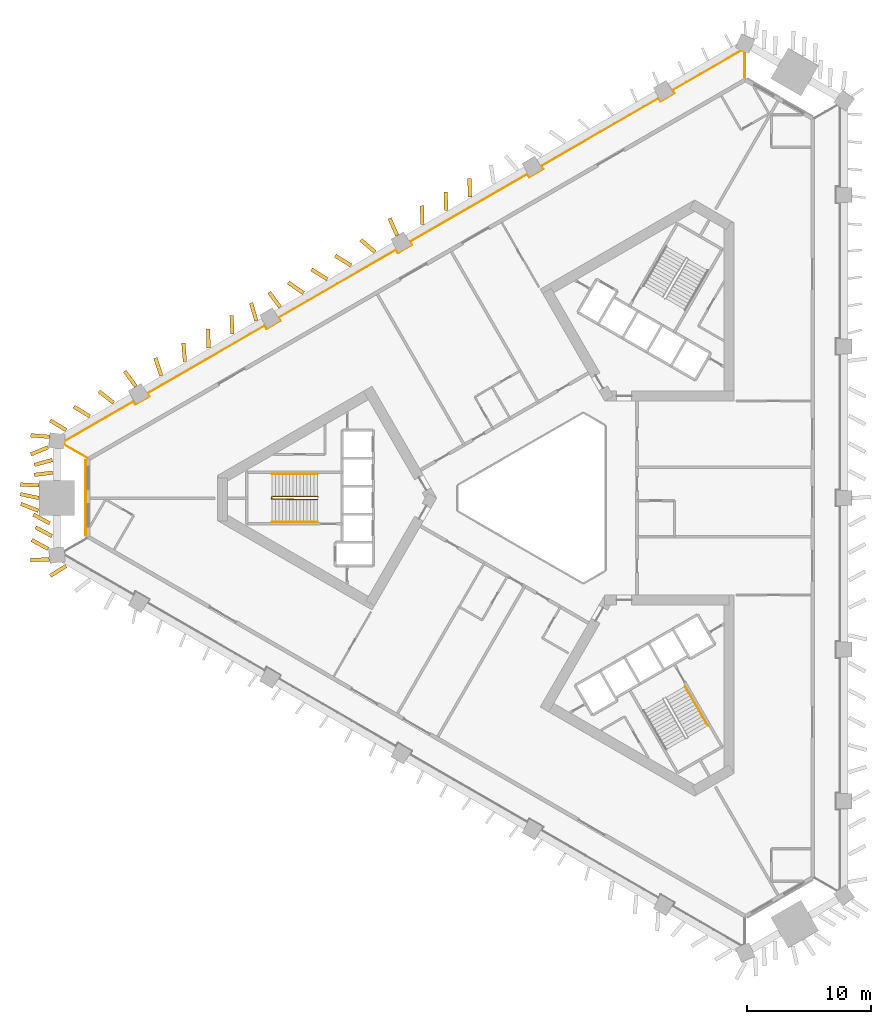
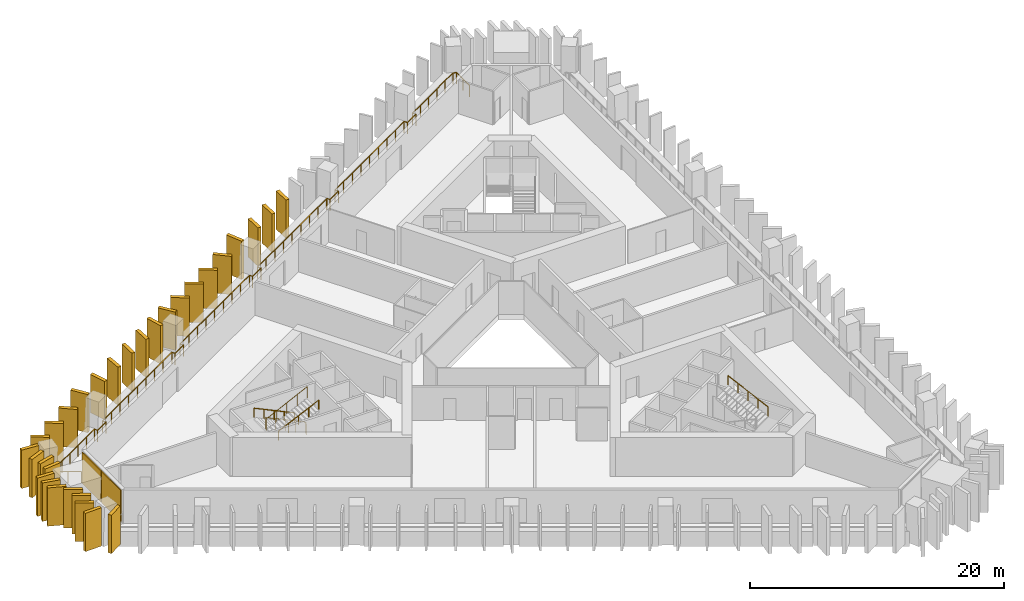
# One storey, part 8 of 10: 30 shading devices, 5 railings, 2 coverings.
"""IFC4 building model written with IfcOpenShell, lengths in metres."""

from ifc_helpers import new_model, si_unit, direction, frame, frame_2d, origin, origin_2d, place, context, subcontext, project, spatial, rectangle, circle, extrude, material, layer, layer_set, type_object, element, save


model = new_model("IFC4")

# Units and contexts
model_context = context("Model", 3, precision=1e-05, world=origin(), true_north=direction((0.0, 1.0)))
body_context = subcontext(model_context, "Body", "Model", "MODEL_VIEW")
ifc_project = project(units=[si_unit("LENGTHUNIT", "METRE"), si_unit("AREAUNIT", "SQUARE_METRE"), si_unit("VOLUMEUNIT", "CUBIC_METRE"), si_unit("PLANEANGLEUNIT", "RADIAN"), si_unit("MASSUNIT", "GRAM", prefix="KILO")], contexts=[model_context])

# Site, building, storey
site_placement = place(None, origin())
site = spatial("IfcSite", under=ifc_project, at=site_placement, CompositionType="ELEMENT")
building_placement = place(site_placement, origin())
building = spatial("IfcBuilding", under=site, at=building_placement, Name="Jabali Bay Hotel Tower and Convention Centre", CompositionType="ELEMENT")
storey_placement = place(building_placement, frame((0.0, 0.0, 44.800048828125)))
storey = spatial("IfcBuildingStorey", under=building, at=storey_placement, Name="L09", CompositionType="ELEMENT", Elevation=44.800048828125)

# Railing
ifc_material_1 = material(Name="Glass", Category="glass")
railing_type_1 = type_object("IfcRailingType", Name="Loggia glass guard 1100", PredefinedType="BALUSTRADE", material=ifc_material_1)
railing_1_placement = place(storey_placement, frame((37.8505859375, 83.263671875, 0.0)))
element("IfcRailing", 1, at=railing_1_placement, inside=storey, type_object=railing_type_1, Name="Loggia glass guard L09", PredefinedType="BALUSTRADE", context=body_context, shape_type="SweptSolid", body=[
    extrude(circle(Radius=0.02490234375, at=origin_2d()), frame((0.0, 0.0, 1.0751953125), z_axis=(-0.866005633567, 0.500034241458, 0.0), x_axis=(-0.495756379204, -0.858596835321, 0.13052619222)), (0.0, 0.0, 1.0), 2.055908203125),
    extrude(circle(Radius=0.02490234375, at=origin_2d()), frame((-1.780517578125, 1.028076171875, 1.0751953125), z_axis=(0.115132230487, 0.993350174663, 0.0), x_axis=(-0.984851926214, 0.114147258294, 0.13052619222)), (0.0, 0.0, 1.0), 0.2734375),
    extrude(circle(Radius=0.02490234375, at=origin_2d()), frame((-1.7490234375, 1.2998046875, 1.0751953125), z_axis=(0.8660341808, 0.499984797455, 0.0), x_axis=(-0.495707358202, 0.858625138328, 0.13052619222)), (0.0, 0.0, 1.0), 6.390869140625),
    extrude(circle(Radius=0.02490234375, at=origin_2d()), frame((3.78564453125, 4.4951171875, 1.0751953125), z_axis=(0.499816412211, -0.866131372301, 0.0), x_axis=(0.858721498343, 0.495540413517, 0.13052619222)), (0.0, 0.0, 1.0), 0.2998046875),
    extrude(circle(Radius=0.02490234375, at=origin_2d()), frame((3.935546875, 4.2353515625, 1.0751953125), z_axis=(0.866085525409, 0.49989585183, 0.0), x_axis=(-0.495619173519, 0.858676043677, 0.13052619222)), (0.0, 0.0, 1.0), 1.300048828125),
    extrude(circle(Radius=0.02490234375, at=origin_2d()), frame((5.0615234375, 4.88525390625, 1.0751953125), z_axis=(-0.499464218792, 0.866334516308, 0.0), x_axis=(-0.858922904424, -0.495191233161, 0.13052619222)), (0.0, 0.0, 1.0), 0.300048828125),
    extrude(circle(Radius=0.02490234375, at=origin_2d()), frame((4.91162109375, 5.145263671875, 1.0751953125), z_axis=(0.866028296266, 0.499994990041, 0.0), x_axis=(-0.495717463589, 0.858619304137, 0.13052619222)), (0.0, 0.0, 1.0), 10.8818359375),
    extrude(circle(Radius=0.02490234375, at=origin_2d()), frame((14.335693359375, 10.586181640625, 1.0751953125), z_axis=(0.500426713919, -0.865778900179, 0.0), x_axis=(0.858372041669, 0.49614549401, 0.13052619222)), (0.0, 0.0, 1.0), 0.300048828125),
    extrude(circle(Radius=0.02490234375, at=origin_2d()), frame((14.48583984375, 10.326416015625, 1.0751953125), z_axis=(0.86595725628, 0.500118016368, 0.0), x_axis=(-0.495839437409, 0.858548871908, 0.13052619222)), (0.0, 0.0, 1.0), 1.300048828125),
    extrude(circle(Radius=0.02490234375, at=origin_2d()), frame((15.611572265625, 10.9765625, 1.0751953125), z_axis=(-0.499816412211, 0.866131372301, 0.0), x_axis=(-0.858721498343, -0.495540413517, 0.13052619222)), (0.0, 0.0, 1.0), 0.2998046875),
    extrude(circle(Radius=0.02490234375, at=origin_2d()), frame((15.461669921875, 11.236328125, 1.0751953125), z_axis=(0.866033904836, 0.499985275457, 0.0), x_axis=(-0.495707832114, 0.858624864726, 0.13052619222)), (0.0, 0.0, 1.0), 10.882080078125),
    extrude(circle(Radius=0.02490234375, at=origin_2d()), frame((24.885986328125, 16.67724609375, 1.0751953125), z_axis=(0.499816412211, -0.866131372301, 0.0), x_axis=(0.858721498343, 0.495540413517, 0.13052619222)), (0.0, 0.0, 1.0), 0.2998046875),
    extrude(circle(Radius=0.02490234375, at=origin_2d()), frame((25.035888671875, 16.41748046875, 1.0751953125), z_axis=(0.86595725628, 0.500118016368, 0.0), x_axis=(-0.495839437409, 0.858548871908, 0.13052619222)), (0.0, 0.0, 1.0), 1.300048828125),
    extrude(circle(Radius=0.02490234375, at=origin_2d()), frame((26.16162109375, 17.067626953125, 1.0751953125), z_axis=(-0.499816412211, 0.866131372301, 0.0), x_axis=(-0.858721498343, -0.495540413517, 0.13052619222)), (0.0, 0.0, 1.0), 0.2998046875),
    extrude(circle(Radius=0.02490234375, at=origin_2d()), frame((26.01171875, 17.327392578125, 1.0751953125), z_axis=(0.866024190355, 0.500002101716, 0.0), x_axis=(-0.495724514422, 0.858615233353, 0.13052619222)), (0.0, 0.0, 1.0), 10.88232421875),
    extrude(circle(Radius=0.02490234375, at=origin_2d()), frame((35.43603515625, 22.7685546875, 1.0751953125), z_axis=(0.499816412211, -0.866131372301, 0.0), x_axis=(0.858721498343, 0.495540413517, 0.13052619222)), (0.0, 0.0, 1.0), 0.2998046875),
    extrude(circle(Radius=0.02490234375, at=origin_2d()), frame((35.5859375, 22.5087890625, 1.0751953125), z_axis=(0.866085525409, 0.49989585183, 0.0), x_axis=(-0.495619173519, 0.858676043677, 0.13052619222)), (0.0, 0.0, 1.0), 1.300048828125),
    extrude(circle(Radius=0.02490234375, at=origin_2d()), frame((36.7119140625, 23.15869140625, 1.0751953125), z_axis=(-0.500426713919, 0.865778900179, 0.0), x_axis=(-0.858372041669, -0.49614549401, 0.13052619222)), (0.0, 0.0, 1.0), 0.300048828125),
    extrude(circle(Radius=0.02490234375, at=origin_2d()), frame((36.561767578125, 23.41845703125, 1.0751953125), z_axis=(0.866024190355, 0.500002101716, 0.0), x_axis=(-0.495724514422, 0.858615233353, 0.13052619222)), (0.0, 0.0, 1.0), 10.88232421875),
    extrude(circle(Radius=0.02490234375, at=origin_2d()), frame((45.986083984375, 28.859619140625, 1.0751953125), z_axis=(0.500426713919, -0.865778900179, 0.0), x_axis=(0.858372041669, 0.49614549401, 0.13052619222)), (0.0, 0.0, 1.0), 0.300048828125),
    extrude(circle(Radius=0.02490234375, at=origin_2d()), frame((46.13623046875, 28.599853515625, 1.0751953125), z_axis=(0.86603858612, 0.49997716683, 0.0), x_axis=(-0.495699792858, 0.85862950596, 0.13052619222)), (0.0, 0.0, 1.0), 1.2998046875),
    extrude(circle(Radius=0.02490234375, at=origin_2d()), frame((47.261962890625, 29.249755859375, 1.0751953125), z_axis=(-0.499816412211, 0.866131372301, 0.0), x_axis=(-0.858721498343, -0.495540413517, 0.13052619222)), (0.0, 0.0, 1.0), 0.2998046875),
    extrude(circle(Radius=0.02490234375, at=origin_2d()), frame((47.112060546875, 29.509521484375, 1.0751953125), z_axis=(0.866008087876, 0.500029990834, 0.0), x_axis=(-0.495752164945, 0.858599268633, 0.13052619222)), (0.0, 0.0, 1.0), 6.390625),
    extrude(circle(Radius=0.02490234375, at=origin_2d()), frame((52.646484375, 32.705078125, 1.0751953125), z_axis=(0.917848253155, -0.396931460305, 0.0), x_axis=(0.393535656637, 0.909995934112, 0.13052619222)), (0.0, 0.0, 1.0), 0.273681640625),
    extrude(circle(Radius=0.02490234375, at=origin_2d()), frame((52.897705078125, 32.596435546875, 1.0751953125), z_axis=(0.0, -1.0, 0.0), x_axis=(0.991444861374, 0.0, 0.13052619222)), (0.0, 0.0, 1.0), 2.055908203125),
    extrude(circle(Radius=0.02001953125, at=origin_2d()), origin(), (0.0, 0.0, 1.0), 1.050048828125),
    extrude(circle(Radius=0.02001953125, at=origin_2d()), frame((-0.89013671875, 0.51416015625, 0.0)), (0.0, 0.0, 1.0), 1.050048828125),
    extrude(circle(Radius=0.02001953125, at=origin_2d()), frame((-1.780517578125, 1.028076171875, 0.0)), (0.0, 0.0, 1.0), 1.050048828125),
    extrude(circle(Radius=0.02001953125, at=origin_2d()), frame((-1.7490234375, 1.2998046875, 0.0)), (0.0, 0.0, 1.0), 1.050048828125),
    extrude(circle(Radius=0.02001953125, at=origin_2d()), frame((-0.64208984375, 1.93896484375, 0.0)), (0.0, 0.0, 1.0), 1.050048828125),
    extrude(circle(Radius=0.02001953125, at=origin_2d()), frame((0.46484375, 2.577880859375, 0.0)), (0.0, 0.0, 1.0), 1.050048828125),
    extrude(circle(Radius=0.02001953125, at=origin_2d()), frame((1.57177734375, 3.217041015625, 0.0)), (0.0, 0.0, 1.0), 1.050048828125),
    extrude(circle(Radius=0.02001953125, at=origin_2d()), frame((2.6787109375, 3.85595703125, 0.0)), (0.0, 0.0, 1.0), 1.050048828125),
    extrude(circle(Radius=0.02001953125, at=origin_2d()), frame((3.78564453125, 4.4951171875, 0.0)), (0.0, 0.0, 1.0), 1.050048828125),
    extrude(circle(Radius=0.02001953125, at=origin_2d()), frame((3.935546875, 4.2353515625, 0.0)), (0.0, 0.0, 1.0), 1.050048828125),
    extrude(circle(Radius=0.02001953125, at=origin_2d()), frame((5.0615234375, 4.88525390625, 0.0)), (0.0, 0.0, 1.0), 1.050048828125),
    extrude(circle(Radius=0.02001953125, at=origin_2d()), frame((4.91162109375, 5.145263671875, 0.0)), (0.0, 0.0, 1.0), 1.050048828125),
    extrude(circle(Radius=0.02001953125, at=origin_2d()), frame((6.089599609375, 5.825439453125, 0.0)), (0.0, 0.0, 1.0), 1.050048828125),
    extrude(circle(Radius=0.02001953125, at=origin_2d()), frame((7.267578125, 6.50537109375, 0.0)), (0.0, 0.0, 1.0), 1.050048828125),
    extrude(circle(Radius=0.02001953125, at=origin_2d()), frame((8.445556640625, 7.185546875, 0.0)), (0.0, 0.0, 1.0), 1.050048828125),
    extrude(circle(Radius=0.02001953125, at=origin_2d()), frame((9.62353515625, 7.86572265625, 0.0)), (0.0, 0.0, 1.0), 1.050048828125),
    extrude(circle(Radius=0.02001953125, at=origin_2d()), frame((10.8017578125, 8.5458984375, 0.0)), (0.0, 0.0, 1.0), 1.050048828125),
    extrude(circle(Radius=0.02001953125, at=origin_2d()), frame((11.979736328125, 9.22607421875, 0.0)), (0.0, 0.0, 1.0), 1.050048828125),
    extrude(circle(Radius=0.02001953125, at=origin_2d()), frame((13.15771484375, 9.906005859375, 0.0)), (0.0, 0.0, 1.0), 1.050048828125),
    extrude(circle(Radius=0.02001953125, at=origin_2d()), frame((14.335693359375, 10.586181640625, 0.0)), (0.0, 0.0, 1.0), 1.050048828125),
    extrude(circle(Radius=0.02001953125, at=origin_2d()), frame((14.48583984375, 10.326416015625, 0.0)), (0.0, 0.0, 1.0), 1.050048828125),
    extrude(circle(Radius=0.02001953125, at=origin_2d()), frame((15.611572265625, 10.9765625, 0.0)), (0.0, 0.0, 1.0), 1.050048828125),
    extrude(circle(Radius=0.02001953125, at=origin_2d()), frame((15.461669921875, 11.236328125, 0.0)), (0.0, 0.0, 1.0), 1.050048828125),
    extrude(circle(Radius=0.02001953125, at=origin_2d()), frame((16.6396484375, 11.91650390625, 0.0)), (0.0, 0.0, 1.0), 1.050048828125),
    extrude(circle(Radius=0.02001953125, at=origin_2d()), frame((17.81787109375, 12.5966796875, 0.0)), (0.0, 0.0, 1.0), 1.050048828125),
    extrude(circle(Radius=0.02001953125, at=origin_2d()), frame((18.995849609375, 13.276611328125, 0.0)), (0.0, 0.0, 1.0), 1.050048828125),
    extrude(circle(Radius=0.02001953125, at=origin_2d()), frame((20.173828125, 13.956787109375, 0.0)), (0.0, 0.0, 1.0), 1.050048828125),
    extrude(circle(Radius=0.02001953125, at=origin_2d()), frame((21.351806640625, 14.636962890625, 0.0)), (0.0, 0.0, 1.0), 1.050048828125),
    extrude(circle(Radius=0.02001953125, at=origin_2d()), frame((22.52978515625, 15.31689453125, 0.0)), (0.0, 0.0, 1.0), 1.050048828125),
    extrude(circle(Radius=0.02001953125, at=origin_2d()), frame((23.7080078125, 15.9970703125, 0.0)), (0.0, 0.0, 1.0), 1.050048828125),
    extrude(circle(Radius=0.02001953125, at=origin_2d()), frame((24.885986328125, 16.67724609375, 0.0)), (0.0, 0.0, 1.0), 1.050048828125),
    extrude(circle(Radius=0.02001953125, at=origin_2d()), frame((25.035888671875, 16.41748046875, 0.0)), (0.0, 0.0, 1.0), 1.050048828125),
    extrude(circle(Radius=0.02001953125, at=origin_2d()), frame((26.16162109375, 17.067626953125, 0.0)), (0.0, 0.0, 1.0), 1.050048828125),
    extrude(circle(Radius=0.02001953125, at=origin_2d()), frame((26.01171875, 17.327392578125, 0.0)), (0.0, 0.0, 1.0), 1.050048828125),
    extrude(circle(Radius=0.02001953125, at=origin_2d()), frame((27.189697265625, 18.007568359375, 0.0)), (0.0, 0.0, 1.0), 1.050048828125),
    extrude(circle(Radius=0.02001953125, at=origin_2d()), frame((28.36767578125, 18.687744140625, 0.0)), (0.0, 0.0, 1.0), 1.050048828125),
    extrude(circle(Radius=0.02001953125, at=origin_2d()), frame((29.5458984375, 19.367919921875, 0.0)), (0.0, 0.0, 1.0), 1.050048828125),
    extrude(circle(Radius=0.02001953125, at=origin_2d()), frame((30.723876953125, 20.0478515625, 0.0)), (0.0, 0.0, 1.0), 1.050048828125),
    extrude(circle(Radius=0.02001953125, at=origin_2d()), frame((31.90185546875, 20.72802734375, 0.0)), (0.0, 0.0, 1.0), 1.050048828125),
    extrude(circle(Radius=0.02001953125, at=origin_2d()), frame((33.080078125, 21.408203125, 0.0)), (0.0, 0.0, 1.0), 1.050048828125),
    extrude(circle(Radius=0.02001953125, at=origin_2d()), frame((34.258056640625, 22.08837890625, 0.0)), (0.0, 0.0, 1.0), 1.050048828125),
    extrude(circle(Radius=0.02001953125, at=origin_2d()), frame((35.43603515625, 22.7685546875, 0.0)), (0.0, 0.0, 1.0), 1.050048828125),
    extrude(circle(Radius=0.02001953125, at=origin_2d()), frame((35.5859375, 22.5087890625, 0.0)), (0.0, 0.0, 1.0), 1.050048828125),
    extrude(circle(Radius=0.02001953125, at=origin_2d()), frame((36.7119140625, 23.15869140625, 0.0)), (0.0, 0.0, 1.0), 1.050048828125),
    extrude(circle(Radius=0.02001953125, at=origin_2d()), frame((36.561767578125, 23.41845703125, 0.0)), (0.0, 0.0, 1.0), 1.050048828125),
    extrude(circle(Radius=0.02001953125, at=origin_2d()), frame((37.73974609375, 24.0986328125, 0.0)), (0.0, 0.0, 1.0), 1.050048828125),
    extrude(circle(Radius=0.02001953125, at=origin_2d()), frame((38.91796875, 24.77880859375, 0.0)), (0.0, 0.0, 1.0), 1.050048828125),
    extrude(circle(Radius=0.02001953125, at=origin_2d()), frame((40.095947265625, 25.458984375, 0.0)), (0.0, 0.0, 1.0), 1.050048828125),
    extrude(circle(Radius=0.02001953125, at=origin_2d()), frame((41.27392578125, 26.13916015625, 0.0)), (0.0, 0.0, 1.0), 1.050048828125),
    extrude(circle(Radius=0.02001953125, at=origin_2d()), frame((42.451904296875, 26.819091796875, 0.0)), (0.0, 0.0, 1.0), 1.050048828125),
    extrude(circle(Radius=0.02001953125, at=origin_2d()), frame((43.6298828125, 27.499267578125, 0.0)), (0.0, 0.0, 1.0), 1.050048828125),
    extrude(circle(Radius=0.02001953125, at=origin_2d()), frame((44.80810546875, 28.179443359375, 0.0)), (0.0, 0.0, 1.0), 1.050048828125),
    extrude(circle(Radius=0.02001953125, at=origin_2d()), frame((45.986083984375, 28.859619140625, 0.0)), (0.0, 0.0, 1.0), 1.050048828125),
    extrude(circle(Radius=0.02001953125, at=origin_2d()), frame((46.13623046875, 28.599853515625, 0.0)), (0.0, 0.0, 1.0), 1.050048828125),
    extrude(circle(Radius=0.02001953125, at=origin_2d()), frame((47.261962890625, 29.249755859375, 0.0)), (0.0, 0.0, 1.0), 1.050048828125),
    extrude(circle(Radius=0.02001953125, at=origin_2d()), frame((47.112060546875, 29.509521484375, 0.0)), (0.0, 0.0, 1.0), 1.050048828125),
    extrude(circle(Radius=0.02001953125, at=origin_2d()), frame((48.218994140625, 30.148681640625, 0.0)), (0.0, 0.0, 1.0), 1.050048828125),
    extrude(circle(Radius=0.02001953125, at=origin_2d()), frame((49.325927734375, 30.787841796875, 0.0)), (0.0, 0.0, 1.0), 1.050048828125),
    extrude(circle(Radius=0.02001953125, at=origin_2d()), frame((50.4326171875, 31.4267578125, 0.0)), (0.0, 0.0, 1.0), 1.050048828125),
    extrude(circle(Radius=0.02001953125, at=origin_2d()), frame((51.53955078125, 32.06591796875, 0.0)), (0.0, 0.0, 1.0), 1.050048828125),
    extrude(circle(Radius=0.02001953125, at=origin_2d()), frame((52.646484375, 32.705078125, 0.0)), (0.0, 0.0, 1.0), 1.050048828125),
    extrude(circle(Radius=0.02001953125, at=origin_2d()), frame((52.897705078125, 32.596435546875, 0.0)), (0.0, 0.0, 1.0), 1.050048828125),
    extrude(circle(Radius=0.02001953125, at=origin_2d()), frame((52.897705078125, 31.568359375, 0.0)), (0.0, 0.0, 1.0), 1.050048828125),
    extrude(circle(Radius=0.02001953125, at=origin_2d()), frame((52.897705078125, 30.54052734375, 0.0)), (0.0, 0.0, 1.0), 1.050048828125),
])

# Shading devices
ifc_material_2 = material(Name="Precast concrete C60", Category="concrete")
ifc_layer_1 = layer(ifc_material_2, 0.300048828125)
ifc_layer_set_1 = layer_set([ifc_layer_1], Name="Precast concrete C60")
shading_device_type = type_object("IfcShadingDeviceType", Name="Precast fin 3680 x 1500", PredefinedType="USERDEFINED", material=ifc_layer_set_1)
for number, where, z_axis, x_axis, name in (
    (2, (68.668212890625, 104.18994140625, 0.010009765625), (0.0, 0.0, 1.0), (-0.027342427411, 0.999626125941, 0.0), "Fin L09 049"),
    (3, (66.759521484375, 103.088134765625, 0.010009765625), (0.0, 0.0, 1.0), (-0.026854525092, 0.999639352208, 0.0), "Fin L09 050"),
    (4, (64.85107421875, 101.986083984375, 0.010009765625), (0.0, 0.0, 1.0), (-0.026691886703, 0.99964370812, 0.0), "Fin L09 051"),
    (5, (62.816650390625, 101.102294921875, 0.010009765625), (0.0, 0.0, 1.0), (-0.405594746475, 0.914053008108, 0.0), "Fin L09 052"),
    (6, (61.044677734375, 99.763671875, 0.010009765625), (0.0, 0.0, 1.0), (-0.76004873387, 0.649866080159, 0.0), "Fin L09 053"),
    (7, (59.125244140625, 98.680419921875, 0.010009765625), (0.0, 0.0, 1.0), (-0.852367247543, 0.522943663616, 0.0), "Fin L09 054"),
    (8, (57.216796875, 97.57861328125, 0.010009765625), (0.0, 0.0, 1.0), (-0.85243979358, 0.522825399461, 0.0), "Fin L09 055"),
    (9, (55.311279296875, 96.4716796875, 0.010009765625), (0.0, 0.0, 1.0), (-0.828452221688, 0.560059743581, 0.0), "Fin L09 056"),
):
    element("IfcShadingDevice", number, at=place(storey_placement, frame(where, z_axis=z_axis, x_axis=x_axis)), inside=storey, type_object=shading_device_type, Name=name, ObjectType="FIN", PredefinedType="USERDEFINED", context=body_context, shape_type="SweptSolid", body=[
        extrude(rectangle(XDim=1.5, YDim=0.300048828125, at=frame_2d((0.75, 0.0))), origin(), (0.0, 0.0, 1.0), 3.679931640625),
    ])
shading_device_1_placement = place(storey_placement, frame((53.427001953125, 95.32763671875, 0.010009765625), z_axis=(0.0, 0.0, 1.0), x_axis=(-0.594464288701, 0.80412201155, 0.0)))
element("IfcShadingDevice", 10, at=shading_device_1_placement, inside=storey, type_object=shading_device_type, Name="Fin L09 057", ObjectType="FIN", PredefinedType="USERDEFINED", context=body_context, shape_type="SweptSolid", body=[
    extrude(rectangle(XDim=1.499755859375, YDim=0.300048828125, at=frame_2d((0.75, 0.0))), origin(), (0.0, 0.0, 1.0), 3.679931640625),
])
for number, where, z_axis, x_axis, name in (
    (11, (51.50927734375, 94.241455078125, 0.010009765625), (0.0, 0.0, 1.0), (-0.282880013421, 0.959155304425, 0.0), "Fin L09 058"),
    (12, (49.583740234375, 93.169189453125, 0.010009765625), (0.0, 0.0, 1.0), (-0.042151784592, 0.999111218562, 0.0), "Fin L09 059"),
    (13, (47.674072265625, 92.069091796875, 0.010009765625), (0.0, 0.0, 1.0), (-0.026529246195, 0.999648037609, 0.0), "Fin L09 060"),
    (14, (45.76904296875, 90.961181640625, 0.010009765625), (0.0, 0.0, 1.0), (-0.078613095905, 0.996905201688, 0.0), "Fin L09 061"),
    (15, (43.8779296875, 89.828857421875, 0.010009765625), (0.0, 0.0, 1.0), (-0.319643490462, 0.947537882623, 0.0), "Fin L09 062"),
):
    element("IfcShadingDevice", number, at=place(storey_placement, frame(where, z_axis=z_axis, x_axis=x_axis)), inside=storey, type_object=shading_device_type, Name=name, ObjectType="FIN", PredefinedType="USERDEFINED", context=body_context, shape_type="SweptSolid", body=[
        extrude(rectangle(XDim=1.5, YDim=0.300048828125, at=frame_2d((0.75, 0.0))), origin(), (0.0, 0.0, 1.0), 3.679931640625),
    ])
shading_device_2_placement = place(storey_placement, frame((41.822509765625, 88.981689453125, 0.010009765625), z_axis=(0.0, 0.0, 1.0), x_axis=(-0.590559109615, 0.80699438539, 0.0)))
element("IfcShadingDevice", 16, at=shading_device_2_placement, inside=storey, type_object=shading_device_type, Name="Fin L09 063", ObjectType="FIN", PredefinedType="USERDEFINED", context=body_context, shape_type="SweptSolid", body=[
    extrude(rectangle(XDim=1.500244140625, YDim=0.300048828125, at=frame_2d((0.75, 0.0))), origin(), (0.0, 0.0, 1.0), 3.679931640625),
])
for number, where, z_axis, x_axis, name in (
    (17, (40.047607421875, 87.64794921875, 0.010009765625), (0.0, 0.0, 1.0), (-0.78680382219, 0.617203163786, 0.0), "Fin L09 064"),
    (18, (38.13134765625, 86.5595703125, 0.010009765625), (0.0, 0.0, 1.0), (-0.852367247543, 0.522943663616, 0.0), "Fin L09 065"),
    (19, (36.222900390625, 85.457763671875, 0.010009765625), (0.0, 0.0, 1.0), (-0.85243979358, 0.522825399461, 0.0), "Fin L09 066"),
):
    element("IfcShadingDevice", number, at=place(storey_placement, frame(where, z_axis=z_axis, x_axis=x_axis)), inside=storey, type_object=shading_device_type, Name=name, ObjectType="FIN", PredefinedType="USERDEFINED", context=body_context, shape_type="SweptSolid", body=[
        extrude(rectangle(XDim=1.5, YDim=0.300048828125, at=frame_2d((0.75, 0.0))), origin(), (0.0, 0.0, 1.0), 3.679931640625),
    ])
shading_device_3_placement = place(storey_placement, frame((34.77880859375, 84.08154296875, 0.010009765625), z_axis=(0.0, 0.0, 1.0), x_axis=(-0.923096181819, -0.384569160374, 0.0)))
element("IfcShadingDevice", 20, at=shading_device_3_placement, inside=storey, type_object=shading_device_type, Name="Fin L09 067", ObjectType="FIN", PredefinedType="USERDEFINED", context=body_context, shape_type="SweptSolid", body=[
    extrude(rectangle(XDim=1.500244140625, YDim=0.300048828125, at=frame_2d((0.75, 0.0))), origin(), (0.0, 0.0, 1.0), 3.679931640625),
])
for number, where, z_axis, x_axis, name in (
    (21, (35.123779296875, 83.06103515625, 0.010009765625), (0.0, 0.0, 1.0), (-0.963936480831, -0.266132412387, 0.0), "Fin L09 068"),
    (22, (35.14599609375, 82.040771484375, 0.010009765625), (0.0, 0.0, 1.0), (-0.992936780856, -0.118644634198, 0.0), "Fin L09 069"),
    (23, (34.04443359375, 81.020263671875, 0.010009765625), (0.0, 0.0, 1.0), (-0.998908283414, 0.046714465918, 0.0), "Fin L09 070"),
    (24, (34.019287109375, 80.0, 0.010009765625), (0.0, 0.0, 1.0), (-0.976863902783, 0.213861907407, 0.0), "Fin L09 071"),
    (25, (33.99658203125, 78.979736328125, 0.010009765625), (0.0, 0.0, 1.0), (-0.930715877582, 0.365743018001, 0.0), "Fin L09 072"),
):
    element("IfcShadingDevice", number, at=place(storey_placement, frame(where, z_axis=z_axis, x_axis=x_axis)), inside=storey, type_object=shading_device_type, Name=name, ObjectType="FIN", PredefinedType="USERDEFINED", context=body_context, shape_type="SweptSolid", body=[
        extrude(rectangle(XDim=1.5, YDim=0.300048828125, at=frame_2d((0.75, 0.0))), origin(), (0.0, 0.0, 1.0), 3.679931640625),
    ])
shading_device_4_placement = place(storey_placement, frame((34.918212890625, 77.959228515625, 0.010009765625), z_axis=(0.0, 0.0, 1.0), x_axis=(-0.87898792335, 0.476844031738, 0.0)))
element("IfcShadingDevice", 26, at=shading_device_4_placement, inside=storey, type_object=shading_device_type, Name="Fin L09 073", ObjectType="FIN", PredefinedType="USERDEFINED", context=body_context, shape_type="SweptSolid", body=[
    extrude(rectangle(XDim=1.500244140625, YDim=0.300048828125, at=frame_2d((0.75, 0.0))), origin(), (0.0, 0.0, 1.0), 3.679931640625),
])
for number, where, z_axis, x_axis, name in (
    (27, (35.09228515625, 76.93896484375, 0.010009765625), (0.0, 0.0, 1.0), (-0.879056132781, 0.476718276785, 0.0), "Fin L09 074"),
    (28, (34.776611328125, 75.91845703125, 0.010009765625), (0.0, 0.0, 1.0), (-0.878950910321, 0.476912253193, 0.0), "Fin L09 075"),
    (29, (36.223388671875, 74.543212890625, 0.010009765625), (0.0, 0.0, 1.0), (-0.848327326582, -0.529472139941, 0.0), "Fin L09 076"),
):
    element("IfcShadingDevice", number, at=place(storey_placement, frame(where, z_axis=z_axis, x_axis=x_axis)), inside=storey, type_object=shading_device_type, Name=name, ObjectType="FIN", PredefinedType="USERDEFINED", context=body_context, shape_type="SweptSolid", body=[
        extrude(rectangle(XDim=1.5, YDim=0.300048828125, at=frame_2d((0.75, 0.0))), origin(), (0.0, 0.0, 1.0), 3.679931640625),
    ])
shading_device_5_placement = place(storey_placement, frame((34.879638671875, 84.92138671875, 0.010009765625), z_axis=(0.0, 0.0, 1.0), x_axis=(-0.99693165817, 0.078276873585, 0.0)))
element("IfcShadingDevice", 30, at=shading_device_5_placement, inside=storey, type_object=shading_device_type, Name="Fin L09 117", ObjectType="FIN", PredefinedType="USERDEFINED", context=body_context, shape_type="SweptSolid", body=[
    extrude(rectangle(XDim=1.500244140625, YDim=0.300048828125, at=frame_2d((0.75, 0.0))), origin(), (0.0, 0.0, 1.0), 3.679931640625),
])
shading_device_6_placement = place(storey_placement, frame((34.872802734375, 75.074951171875, 0.010009765625), z_axis=(0.0, 0.0, 1.0), x_axis=(-0.999521714352, -0.030924788426, 0.0)))
element("IfcShadingDevice", 31, at=shading_device_6_placement, inside=storey, type_object=shading_device_type, Name="Fin L09 118", ObjectType="FIN", PredefinedType="USERDEFINED", context=body_context, shape_type="SweptSolid", body=[
    extrude(rectangle(XDim=1.5, YDim=0.300048828125, at=frame_2d((0.75, 0.0))), origin(), (0.0, 0.0, 1.0), 3.679931640625),
])

# Coverings
ifc_material_3 = material(Name="Precast concrete C40/50", Category="concrete")
ifc_layer_2 = layer(ifc_material_3, 0.080078125)
ifc_layer_set_2 = layer_set([ifc_layer_2], Name="Precast concrete C40/50")
covering_type = type_object("IfcCoveringType", Name="Relief panel 3000 x 3000", PredefinedType="CLADDING", material=ifc_layer_set_2)
for number, where, z_axis, x_axis, name in (
    (32, (37.810546875, 78.460205078125, 0.099853515625), (0.0, 0.0, 1.0), (0.0, 1.0, 0.0), "Relief panel L09"),
    (33, (37.810546875, 81.539794921875, 0.099853515625), (0.0, 0.0, 1.0), (0.0, 1.0, 0.0), "Relief panel L09"),
):
    element("IfcCovering", number, at=place(storey_placement, frame(where, z_axis=z_axis, x_axis=x_axis)), inside=storey, type_object=covering_type, Name=name, PredefinedType="CLADDING", context=body_context, shape_type="SweptSolid", body=[
        extrude(rectangle(XDim=3.0, YDim=0.080078125, at=origin_2d()), origin(), (0.0, 0.0, 1.0), 3.0),
    ])

# Railings
ifc_material_4 = material(Name="Steel Q355B", Category="steel")
railing_type_2 = type_object("IfcRailingType", Name="Stair guard 1100", PredefinedType="GUARDRAIL", material=ifc_material_4)
railing_2_placement = place(storey_placement, frame((56.469970703125, 80.074951171875, 0.0)))
element("IfcRailing", 34, at=railing_2_placement, inside=storey, type_object=railing_type_2, Name="L09 ST1 stair guard 1", PredefinedType="GUARDRAIL", context=body_context, shape_type="SweptSolid", body=[
    extrude(circle(Radius=0.02392578125, at=origin_2d()), frame((0.0, 0.0, 1.076171875), z_axis=(-0.333993628408, 0.333993628408, 0.881417331555), x_axis=(-0.707106781187, -0.707106781187, 0.0)), (0.0, 0.0, 1.0), 0.14990234375),
    extrude(circle(Radius=0.02392578125, at=origin_2d()), frame((-0.050048828125, 0.050048828125, 1.2080078125), z_axis=(-0.904350763662, 0.0, 0.426789990819), x_axis=(0.0, -1.0, 0.0)), (0.0, 0.0, 1.0), 4.02490234375),
    extrude(circle(Radius=0.02392578125, at=origin_2d()), frame((-3.68994140625, 0.050048828125, 2.92578125), z_axis=(-0.242814311512, -0.970072785993, 0.0), x_axis=(0.970072785993, -0.242814311512, 0.0)), (0.0, 0.0, 1.0), 0.2060546875),
    extrude(circle(Radius=0.02392578125, at=origin_2d()), frame((-3.739990234375, -0.14990234375, 2.92578125), z_axis=(0.893864111827, -0.012124000458, 0.448174026692), x_axis=(0.013562335953, 0.999908027292, 0.0)), (0.0, 0.0, 1.0), 4.128173828125),
    extrude(circle(Radius=0.02099609375, at=origin_2d()), origin(), (0.0, 0.0, 1.0), 1.052001953125),
    extrude(circle(Radius=0.02099609375, at=origin_2d()), frame((-0.050048828125, 0.050048828125, 0.132080078125)), (0.0, 0.0, 1.0), 1.052001953125),
    extrude(circle(Radius=0.02099609375, at=origin_2d()), frame((-0.9599609375, 0.050048828125, 0.5615234375)), (0.0, 0.0, 1.0), 1.052001953125),
    extrude(circle(Radius=0.02099609375, at=origin_2d()), frame((-1.8701171875, 0.050048828125, 0.990966796875)), (0.0, 0.0, 1.0), 1.052001953125),
    extrude(circle(Radius=0.02099609375, at=origin_2d()), frame((-2.780029296875, 0.050048828125, 1.42041015625)), (0.0, 0.0, 1.0), 1.052001953125),
    extrude(circle(Radius=0.02099609375, at=origin_2d()), frame((-3.68994140625, 0.050048828125, 1.849853515625)), (0.0, 0.0, 1.0), 1.052001953125),
    extrude(circle(Radius=0.02099609375, at=origin_2d()), frame((-3.739990234375, -0.14990234375, 1.849853515625)), (0.0, 0.0, 1.0), 1.052001953125),
    extrude(circle(Radius=0.02099609375, at=origin_2d()), frame((-2.8173828125, -0.162353515625, 2.3125)), (0.0, 0.0, 1.0), 1.052001953125),
    extrude(circle(Radius=0.02099609375, at=origin_2d()), frame((-1.89501953125, -0.1748046875, 2.77490234375)), (0.0, 0.0, 1.0), 1.052001953125),
    extrude(circle(Radius=0.02099609375, at=origin_2d()), frame((-0.97265625, -0.1875, 3.2373046875)), (0.0, 0.0, 1.0), 1.052001953125),
    extrude(circle(Radius=0.02099609375, at=origin_2d()), frame((-0.050048828125, -0.199951171875, 3.699951171875)), (0.0, 0.0, 1.0), 1.052001953125),
])
railing_type_3 = type_object("IfcRailingType", Name="Stair handrail 900", PredefinedType="HANDRAIL", material=ifc_material_4)
railing_3_placement = place(storey_placement, frame((56.419921875, 81.925048828125, 0.132080078125)))
element("IfcRailing", 35, at=railing_3_placement, inside=storey, type_object=railing_type_3, Name="L09 ST1 stair handrail 1", PredefinedType="HANDRAIL", context=body_context, shape_type="SweptSolid", body=[
    extrude(circle(Radius=0.02392578125, at=origin_2d()), frame((0.0, 0.0, 0.8759765625), z_axis=(-0.904350763662, 0.0, 0.426789990819), x_axis=(0.0, -1.0, 0.0)), (0.0, 0.0, 1.0), 4.02490234375),
    extrude(circle(Radius=0.02099609375, at=origin_2d()), origin(), (0.0, 0.0, 1.0), 0.851806640625),
    extrude(circle(Radius=0.02099609375, at=origin_2d()), frame((-0.909912109375, 0.0, 0.429443359375)), (0.0, 0.0, 1.0), 0.851806640625),
    extrude(circle(Radius=0.02099609375, at=origin_2d()), frame((-1.81982421875, 0.0, 0.85888671875)), (0.0, 0.0, 1.0), 0.851806640625),
    extrude(circle(Radius=0.02099609375, at=origin_2d()), frame((-2.72998046875, 0.0, 1.288330078125)), (0.0, 0.0, 1.0), 0.851806640625),
    extrude(circle(Radius=0.02099609375, at=origin_2d()), frame((-3.639892578125, 0.0, 1.7177734375)), (0.0, 0.0, 1.0), 0.851806640625),
])
railing_4_placement = place(storey_placement, frame((52.780029296875, 78.074951171875, 1.982177734375)))
element("IfcRailing", 36, at=railing_4_placement, inside=storey, type_object=railing_type_3, Name="L09 ST1 stair handrail 2", PredefinedType="HANDRAIL", context=body_context, shape_type="SweptSolid", body=[
    extrude(circle(Radius=0.02392578125, at=origin_2d()), frame((0.0, 0.0, 0.8759765625), z_axis=(0.904350763662, 0.0, 0.426789990819), x_axis=(0.0, 1.0, 0.0)), (0.0, 0.0, 1.0), 4.02490234375),
    extrude(circle(Radius=0.02099609375, at=origin_2d()), origin(), (0.0, 0.0, 1.0), 0.851806640625),
    extrude(circle(Radius=0.02099609375, at=origin_2d()), frame((0.909912109375, 0.0, 0.429443359375)), (0.0, 0.0, 1.0), 0.851806640625),
    extrude(circle(Radius=0.02099609375, at=origin_2d()), frame((1.81982421875, 0.0, 0.85888671875)), (0.0, 0.0, 1.0), 0.851806640625),
    extrude(circle(Radius=0.02099609375, at=origin_2d()), frame((2.72998046875, 0.0, 1.288330078125)), (0.0, 0.0, 1.0), 0.851806640625),
    extrude(circle(Radius=0.02099609375, at=origin_2d()), frame((3.639892578125, 0.0, 1.7177734375)), (0.0, 0.0, 1.0), 0.851806640625),
])
railing_5_placement = place(storey_placement, frame((87.777099609375, 61.719482421875, 1.982177734375)))
element("IfcRailing", 37, at=railing_5_placement, inside=storey, type_object=railing_type_3, Name="L09 ST3 stair handrail 2", PredefinedType="HANDRAIL", context=body_context, shape_type="SweptSolid", body=[
    extrude(circle(Radius=0.02392578125, at=origin_2d()), frame((0.0, 0.0, 0.8759765625), z_axis=(-0.452190331055, 0.783190014029, 0.426775475427), x_axis=(-0.866018046521, -0.500012742938, 0.0)), (0.0, 0.0, 1.0), 4.02490234375),
    extrude(circle(Radius=0.02099609375, at=origin_2d()), origin(), (0.0, 0.0, 1.0), 0.851806640625),
    extrude(circle(Radius=0.02099609375, at=origin_2d()), frame((-0.455078125, 0.7880859375, 0.429443359375)), (0.0, 0.0, 1.0), 0.851806640625),
    extrude(circle(Radius=0.02099609375, at=origin_2d()), frame((-0.91015625, 1.576171875, 0.85888671875)), (0.0, 0.0, 1.0), 0.851806640625),
    extrude(circle(Radius=0.02099609375, at=origin_2d()), frame((-1.364990234375, 2.3642578125, 1.288330078125)), (0.0, 0.0, 1.0), 0.851806640625),
    extrude(circle(Radius=0.02099609375, at=origin_2d()), frame((-1.820068359375, 3.15234375, 1.7177734375)), (0.0, 0.0, 1.0), 0.851806640625),
])

save(model, "model.ifc")
